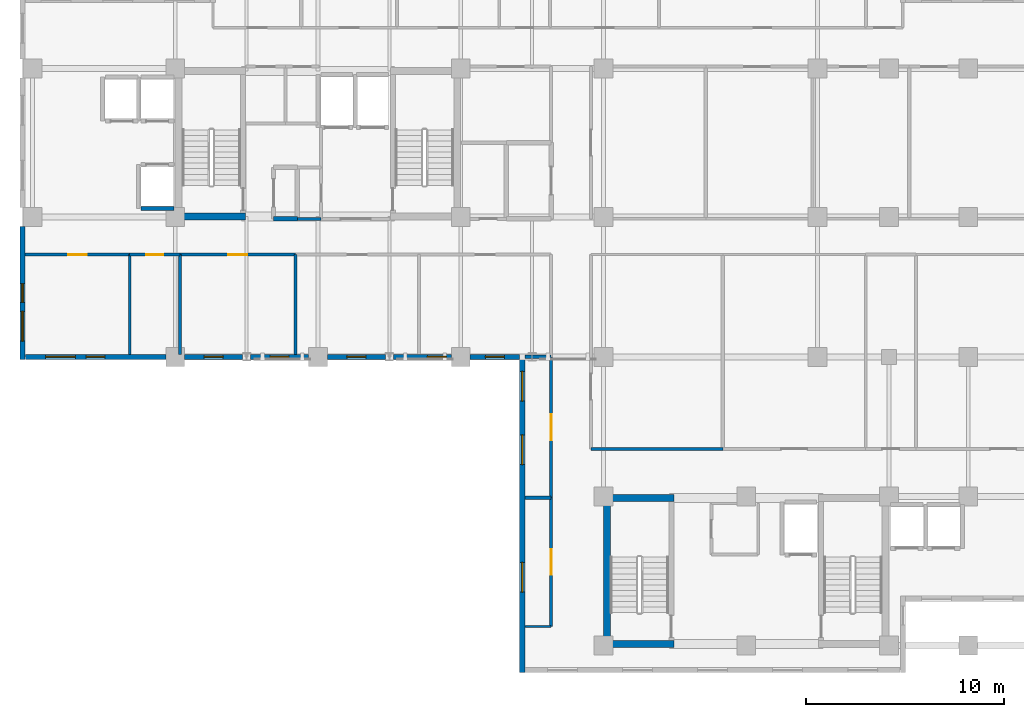
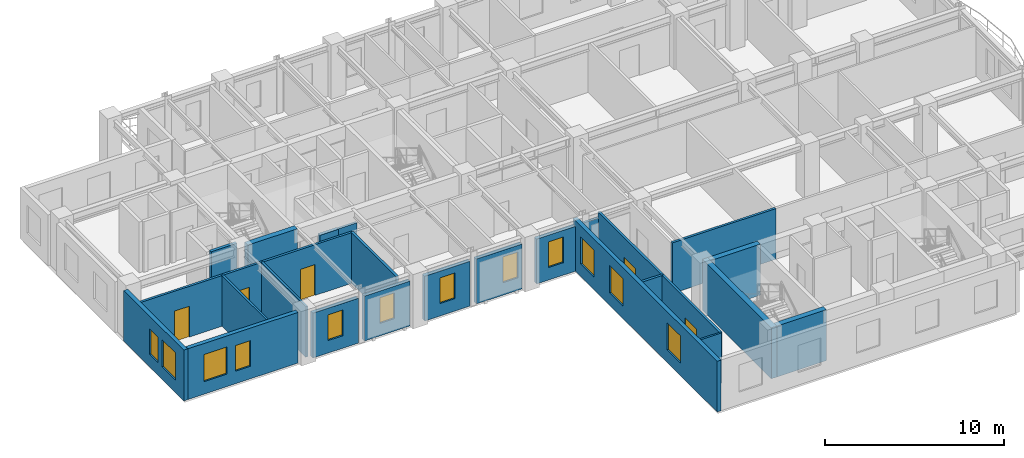
# One storey, part 5 of 14: 27 walls, 12 windows, 5 doors, 17 openings.
"""IFC4 building model written with IfcOpenShell, lengths in metres."""

from ifc_helpers import new_model, si_unit, direction, frame, frame_2d, origin, place, context, subcontext, project, spatial, rectangle, extrude, material, layer, layer_set, type_object, element, fill, save


model = new_model("IFC4")

# Units and contexts
model_context = context("Model", 3, precision=1e-05, world=origin(), true_north=direction((0.0, 1.0)))
body_context = subcontext(model_context, "Body", "Model", "MODEL_VIEW")
ifc_project = project(units=[si_unit("LENGTHUNIT", "METRE"), si_unit("AREAUNIT", "SQUARE_METRE"), si_unit("VOLUMEUNIT", "CUBIC_METRE"), si_unit("PLANEANGLEUNIT", "RADIAN"), si_unit("MASSUNIT", "GRAM", prefix="KILO")], contexts=[model_context])

# Site, building, storey
site_placement = place(None, origin())
site = spatial("IfcSite", under=ifc_project, at=site_placement, CompositionType="ELEMENT")
building_placement = place(site_placement, origin())
building = spatial("IfcBuilding", under=site, at=building_placement, Name="Kaliganga Portal Commons", CompositionType="ELEMENT")
storey_placement = place(building_placement, frame((0.0, 0.0, 227.699951171875)))
storey = spatial("IfcBuildingStorey", under=building, at=storey_placement, Name="L58", CompositionType="ELEMENT", Elevation=227.699951171875)

# Walls
ifc_material_1 = material(Name="Concrete C50/60", Category="concrete")
ifc_layer_1 = layer(ifc_material_1, 0.35009765625)
ifc_layer_set_1 = layer_set([ifc_layer_1], Name="Concrete C50/60")
wall_type_1 = type_object("IfcWallType", Name="WL-CORE-350", PredefinedType="SHEAR", material=ifc_layer_set_1)
wall_1_placement = place(storey_placement, frame((14.75, 28.675048828125, 0.0), z_axis=(0.0, 0.0, 1.0), x_axis=(1.0, 0.0, 0.0)))
element("IfcWall", 1, at=wall_1_placement, inside=storey, type_object=wall_type_1, Name="Core A S-West Shear Wall L58", PredefinedType="SHEAR", context=body_context, shape_type="SweptSolid", body=[
    extrude(rectangle(XDim=3.199951171875, YDim=0.35009765625, at=frame_2d((1.60009765625, 0.0))), origin(), (0.0, 0.0, 1.0), 3.469970703125),
])
wall_2_placement = place(storey_placement, frame((36.175048828125, 6.949951171875, 0.0), z_axis=(0.0, 0.0, 1.0), x_axis=(0.0, 1.0, 0.0)))
element("IfcWall", 2, at=wall_2_placement, inside=storey, type_object=wall_type_1, Name="Core B West Shear Wall L58", PredefinedType="SHEAR", context=body_context, shape_type="SweptSolid", body=[
    extrude(rectangle(XDim=7.699951171875, YDim=0.35009765625, at=frame_2d((3.85009765625, 0.0))), origin(), (0.0, 0.0, 1.0), 3.469970703125),
])
for number, where, z_axis, x_axis, name in (
    (3, (36.35009765625, 7.125, 0.0), (0.0, 0.0, 1.0), (1.0, 0.0, 0.0), "Core B S-West Shear Wall L58"),
    (4, (36.35009765625, 14.47509765625, 0.0), (0.0, 0.0, 1.0), (1.0, 0.0, 0.0), "Core B N-West Shear Wall L58"),
):
    element("IfcWall", number, at=place(storey_placement, frame(where, z_axis=z_axis, x_axis=x_axis)), inside=storey, type_object=wall_type_1, Name=name, PredefinedType="SHEAR", context=body_context, shape_type="SweptSolid", body=[
        extrude(rectangle(XDim=3.199951171875, YDim=0.35009765625, at=frame_2d((1.60009765625, 0.0))), origin(), (0.0, 0.0, 1.0), 3.469970703125),
    ])

# Wall, openings, windows
ifc_material_2 = material(Name="Insulated Aluminium-Clad Spandrel Assembly", Category="aluminium")
ifc_layer_2 = layer(ifc_material_2, 0.260009765625)
ifc_layer_set_2 = layer_set([ifc_layer_2], Name="Insulated Aluminium-Clad Spandrel Assembly")
wall_type_2 = type_object("IfcWallType", Name="WL-EXT-SPAND-260", PredefinedType="STANDARD", material=ifc_layer_set_2)
wall_3_placement = place(storey_placement, frame((6.699951171875, 21.469970703125, 0.0), z_axis=(0.0, 0.0, 1.0), x_axis=(0.0, 1.0, 0.0)))
wall_3 = element("IfcWall", 5, at=wall_3_placement, inside=storey, type_object=wall_type_2, Name="Exterior Envelope Wall L58 P1-E09-S3", PredefinedType="STANDARD", context=body_context, shape_type="SweptSolid", body=[
    extrude(rectangle(XDim=6.7041015625, YDim=0.260009765625, at=frame_2d((3.35205078125, 0.0))), origin(), (0.0, 0.0, 1.0), 3.449951171875),
])
opening_1_placement = place(wall_3_placement, frame((0.926025390625, 0.0, 0.85009765625)))
opening_1 = element("IfcOpeningElement", 6, at=opening_1_placement, cuts=wall_3, Name="Opening W-02", PredefinedType="OPENING", context=body_context, shape_type="SweptSolid", body=[
    extrude(rectangle(XDim=1.5, YDim=1.85009765625, at=frame_2d((0.75, 0.925048828125))), frame((0.0, 0.14013671875, 0.0), z_axis=(0.0, -1.0, 0.0), x_axis=(1.0, 0.0, 0.0)), (0.0, 0.0, 1.0), 0.280029296875),
])
opening_2_placement = place(wall_3_placement, frame((2.876953125, 0.0, 0.85009765625)))
opening_2 = element("IfcOpeningElement", 7, at=opening_2_placement, cuts=wall_3, Name="Opening W-04", PredefinedType="OPENING", context=body_context, shape_type="SweptSolid", body=[
    extrude(rectangle(XDim=0.949951171875, YDim=1.75, at=frame_2d((0.47509765625, 0.875))), frame((0.0, 0.14013671875, 0.0), z_axis=(0.0, -1.0, 0.0), x_axis=(1.0, 0.0, 0.0)), (0.0, 0.0, 1.0), 0.280029296875),
])
ifc_material_3 = material(Name="Thermally Broken Aluminium and Low-E Double Glazing", Category="aluminium")
window_type_1 = type_object("IfcWindowType", Name="WIN-NARROW-950", PartitioningType="SINGLE_PANEL", PredefinedType="WINDOW", material=ifc_material_3)
window_1_placement = place(opening_2_placement, origin())
window_1 = element("IfcWindow", 8, at=window_1_placement, inside=storey, type_object=window_type_1, Name="Facade Window L58-P1E09S3-N0", OverallHeight=1.75, OverallWidth=0.949951171875, PartitioningType="SINGLE_PANEL", PredefinedType="WINDOW", context=body_context, shape_type="SweptSolid", body=[
    extrude(rectangle(XDim=0.949951171875, YDim=1.75, at=frame_2d((0.47509765625, 0.875))), frame((0.0, 0.030029296875, 0.0), z_axis=(0.0, -1.0, 0.0), x_axis=(1.0, 0.0, 0.0)), (0.0, 0.0, 1.0), 0.06005859375),
])
fill(opening_2, window_1)
window_type_2 = type_object("IfcWindowType", Name="WIN-STD-1500", PartitioningType="DOUBLE_PANEL_VERTICAL", PredefinedType="WINDOW", material=ifc_material_3)
window_2_placement = place(opening_1_placement, origin())
window_2 = element("IfcWindow", 9, at=window_2_placement, inside=storey, type_object=window_type_2, Name="Facade Window L58-P1E09S3-00", OverallHeight=1.85009765625, OverallWidth=1.5, PartitioningType="SINGLE_PANEL", PredefinedType="WINDOW", context=body_context, shape_type="SweptSolid", body=[
    extrude(rectangle(XDim=1.5, YDim=1.85009765625, at=frame_2d((0.75, 0.925048828125))), frame((0.0, 0.030029296875, 0.0), z_axis=(0.0, -1.0, 0.0), x_axis=(1.0, 0.0, 0.0)), (0.0, 0.0, 1.0), 0.06005859375),
])
fill(opening_1, window_2)

wall_4_placement = place(storey_placement, frame((13.924072265625, 21.60009765625, 0.0), z_axis=(0.0, 0.0, 1.0), x_axis=(-1.0, 0.0, 0.0)))
wall_4 = element("IfcWall", 10, at=wall_4_placement, inside=storey, type_object=wall_type_2, Name="Exterior Envelope Wall L58 P1-E10-S1", PredefinedType="STANDARD", context=body_context, shape_type="SweptSolid", body=[
    extrude(rectangle(XDim=7.089111328125, YDim=0.260009765625, at=frame_2d((3.54443359375, 0.0))), origin(), (0.0, 0.0, 1.0), 3.449951171875),
])
opening_3_placement = place(wall_4_placement, frame((4.566650390625, 0.0, 0.85009765625)))
opening_3 = element("IfcOpeningElement", 11, at=opening_3_placement, cuts=wall_4, Name="Opening W-02", PredefinedType="OPENING", context=body_context, shape_type="SweptSolid", body=[
    extrude(rectangle(XDim=1.5, YDim=1.85009765625, at=frame_2d((0.75, 0.925048828125))), frame((0.0, 0.14013671875, 0.0), z_axis=(0.0, -1.0, 0.0), x_axis=(1.0, 0.0, 0.0)), (0.0, 0.0, 1.0), 0.280029296875),
])
opening_4_placement = place(wall_4_placement, frame((3.069580078125, 0.0, 0.85009765625)))
opening_4 = element("IfcOpeningElement", 12, at=opening_4_placement, cuts=wall_4, Name="Opening W-04", PredefinedType="OPENING", context=body_context, shape_type="SweptSolid", body=[
    extrude(rectangle(XDim=0.949951171875, YDim=1.75, at=frame_2d((0.47509765625, 0.875))), frame((0.0, 0.14013671875, 0.0), z_axis=(0.0, -1.0, 0.0), x_axis=(1.0, 0.0, 0.0)), (0.0, 0.0, 1.0), 0.280029296875),
])
window_3_placement = place(opening_4_placement, origin())
window_3 = element("IfcWindow", 13, at=window_3_placement, inside=storey, type_object=window_type_1, Name="Facade Window L58-P1E10S1-N0", OverallHeight=1.75, OverallWidth=0.949951171875, PartitioningType="SINGLE_PANEL", PredefinedType="WINDOW", context=body_context, shape_type="SweptSolid", body=[
    extrude(rectangle(XDim=0.949951171875, YDim=1.75, at=frame_2d((0.47509765625, 0.875))), frame((0.0, 0.030029296875, 0.0), z_axis=(0.0, -1.0, 0.0), x_axis=(1.0, 0.0, 0.0)), (0.0, 0.0, 1.0), 0.06005859375),
])
fill(opening_4, window_3)
window_4_placement = place(opening_3_placement, origin())
window_4 = element("IfcWindow", 14, at=window_4_placement, inside=storey, type_object=window_type_2, Name="Facade Window L58-P1E10S1-01", OverallHeight=1.85009765625, OverallWidth=1.5, PartitioningType="SINGLE_PANEL", PredefinedType="WINDOW", context=body_context, shape_type="SweptSolid", body=[
    extrude(rectangle(XDim=1.5, YDim=1.85009765625, at=frame_2d((0.75, 0.925048828125))), frame((0.0, 0.030029296875, 0.0), z_axis=(0.0, -1.0, 0.0), x_axis=(1.0, 0.0, 0.0)), (0.0, 0.0, 1.0), 0.06005859375),
])
fill(opening_3, window_4)

# Wall, opening, window
wall_5_placement = place(storey_placement, frame((17.799560546875, 21.60009765625, 0.0), z_axis=(0.0, 0.0, 1.0), x_axis=(-1.0, 0.0, 0.0)))
wall_5 = element("IfcWall", 15, at=wall_5_placement, inside=storey, type_object=wall_type_2, Name="Exterior Envelope Wall L58 P1-E10-S2", PredefinedType="STANDARD", context=body_context, shape_type="SweptSolid", body=[
    extrude(rectangle(XDim=2.923583984375, YDim=0.260009765625, at=frame_2d((1.4619140625, 0.0))), origin(), (0.0, 0.0, 1.0), 3.050048828125),
])
opening_5_placement = place(wall_5_placement, frame((0.98681640625, 0.0, 0.85009765625)))
opening_5 = element("IfcOpeningElement", 16, at=opening_5_placement, cuts=wall_5, Name="Opening W-04", PredefinedType="OPENING", context=body_context, shape_type="SweptSolid", body=[
    extrude(rectangle(XDim=0.949951171875, YDim=1.75, at=frame_2d((0.47509765625, 0.875))), frame((0.0, 0.14013671875, 0.0), z_axis=(0.0, -1.0, 0.0), x_axis=(1.0, 0.0, 0.0)), (0.0, 0.0, 1.0), 0.280029296875),
])
window_5_placement = place(opening_5_placement, origin())
window_5 = element("IfcWindow", 17, at=window_5_placement, inside=storey, type_object=window_type_1, Name="Facade Window L58-P1E10S2-00", OverallHeight=1.75, OverallWidth=0.949951171875, PartitioningType="SINGLE_PANEL", PredefinedType="WINDOW", context=body_context, shape_type="SweptSolid", body=[
    extrude(rectangle(XDim=0.949951171875, YDim=1.75, at=frame_2d((0.47509765625, 0.875))), frame((0.0, 0.030029296875, 0.0), z_axis=(0.0, -1.0, 0.0), x_axis=(1.0, 0.0, 0.0)), (0.0, 0.0, 1.0), 0.06005859375),
])
fill(opening_5, window_5)

wall_6_placement = place(storey_placement, frame((21.1240234375, 21.60009765625, 0.0), z_axis=(0.0, 0.0, 1.0), x_axis=(-1.0, 0.0, 0.0)))
wall_6 = element("IfcWall", 18, at=wall_6_placement, inside=storey, type_object=wall_type_2, Name="Exterior Envelope Wall L58 P1-E10-S3", PredefinedType="STANDARD", context=body_context, shape_type="SweptSolid", body=[
    extrude(rectangle(XDim=2.923583984375, YDim=0.260009765625, at=frame_2d((1.4619140625, 0.0))), origin(), (0.0, 0.0, 1.0), 3.050048828125),
])
opening_6_placement = place(wall_6_placement, frame((0.98681640625, 0.0, 0.85009765625)))
opening_6 = element("IfcOpeningElement", 19, at=opening_6_placement, cuts=wall_6, Name="Opening W-04", PredefinedType="OPENING", context=body_context, shape_type="SweptSolid", body=[
    extrude(rectangle(XDim=0.949951171875, YDim=1.75, at=frame_2d((0.47509765625, 0.875))), frame((0.0, 0.14013671875, 0.0), z_axis=(0.0, -1.0, 0.0), x_axis=(1.0, 0.0, 0.0)), (0.0, 0.0, 1.0), 0.280029296875),
])
window_6_placement = place(opening_6_placement, origin())
window_6 = element("IfcWindow", 20, at=window_6_placement, inside=storey, type_object=window_type_1, Name="Facade Window L58-P1E10S3-00", OverallHeight=1.75, OverallWidth=0.949951171875, PartitioningType="SINGLE_PANEL", PredefinedType="WINDOW", context=body_context, shape_type="SweptSolid", body=[
    extrude(rectangle(XDim=0.949951171875, YDim=1.75, at=frame_2d((0.47509765625, 0.875))), frame((0.0, 0.030029296875, 0.0), z_axis=(0.0, -1.0, 0.0), x_axis=(1.0, 0.0, 0.0)), (0.0, 0.0, 1.0), 0.06005859375),
])
fill(opening_6, window_6)

wall_7_placement = place(storey_placement, frame((24.99951171875, 21.60009765625, 0.0), z_axis=(0.0, 0.0, 1.0), x_axis=(-1.0, 0.0, 0.0)))
wall_7 = element("IfcWall", 21, at=wall_7_placement, inside=storey, type_object=wall_type_2, Name="Exterior Envelope Wall L58 P1-E10-S4", PredefinedType="STANDARD", context=body_context, shape_type="SweptSolid", body=[
    extrude(rectangle(XDim=2.923583984375, YDim=0.260009765625, at=frame_2d((1.4619140625, 0.0))), origin(), (0.0, 0.0, 1.0), 3.050048828125),
])
opening_7_placement = place(wall_7_placement, frame((0.98681640625, 0.0, 0.85009765625)))
opening_7 = element("IfcOpeningElement", 22, at=opening_7_placement, cuts=wall_7, Name="Opening W-04", PredefinedType="OPENING", context=body_context, shape_type="SweptSolid", body=[
    extrude(rectangle(XDim=0.949951171875, YDim=1.75, at=frame_2d((0.47509765625, 0.875))), frame((0.0, 0.14013671875, 0.0), z_axis=(0.0, -1.0, 0.0), x_axis=(1.0, 0.0, 0.0)), (0.0, 0.0, 1.0), 0.280029296875),
])
window_7_placement = place(opening_7_placement, origin())
window_7 = element("IfcWindow", 23, at=window_7_placement, inside=storey, type_object=window_type_1, Name="Facade Window L58-P1E10S4-00", OverallHeight=1.75, OverallWidth=0.949951171875, PartitioningType="SINGLE_PANEL", PredefinedType="WINDOW", context=body_context, shape_type="SweptSolid", body=[
    extrude(rectangle(XDim=0.949951171875, YDim=1.75, at=frame_2d((0.47509765625, 0.875))), frame((0.0, 0.030029296875, 0.0), z_axis=(0.0, -1.0, 0.0), x_axis=(1.0, 0.0, 0.0)), (0.0, 0.0, 1.0), 0.06005859375),
])
fill(opening_7, window_7)

wall_8_placement = place(storey_placement, frame((28.323974609375, 21.60009765625, 0.0), z_axis=(0.0, 0.0, 1.0), x_axis=(-1.0, 0.0, 0.0)))
wall_8 = element("IfcWall", 24, at=wall_8_placement, inside=storey, type_object=wall_type_2, Name="Exterior Envelope Wall L58 P1-E10-S5", PredefinedType="STANDARD", context=body_context, shape_type="SweptSolid", body=[
    extrude(rectangle(XDim=2.923583984375, YDim=0.260009765625, at=frame_2d((1.4619140625, 0.0))), origin(), (0.0, 0.0, 1.0), 3.050048828125),
])
opening_8_placement = place(wall_8_placement, frame((0.26171875, 0.0, 0.85009765625)))
opening_8 = element("IfcOpeningElement", 25, at=opening_8_placement, cuts=wall_8, Name="Opening W-04", PredefinedType="OPENING", context=body_context, shape_type="SweptSolid", body=[
    extrude(rectangle(XDim=0.949951171875, YDim=1.75, at=frame_2d((0.47509765625, 0.875))), frame((0.0, 0.14013671875, 0.0), z_axis=(0.0, -1.0, 0.0), x_axis=(1.0, 0.0, 0.0)), (0.0, 0.0, 1.0), 0.280029296875),
])
window_8_placement = place(opening_8_placement, origin())
window_8 = element("IfcWindow", 26, at=window_8_placement, inside=storey, type_object=window_type_1, Name="Facade Window L58-P1E10S5-N1", OverallHeight=1.75, OverallWidth=0.949951171875, PartitioningType="SINGLE_PANEL", PredefinedType="WINDOW", context=body_context, shape_type="SweptSolid", body=[
    extrude(rectangle(XDim=0.949951171875, YDim=1.75, at=frame_2d((0.47509765625, 0.875))), frame((0.0, 0.030029296875, 0.0), z_axis=(0.0, -1.0, 0.0), x_axis=(1.0, 0.0, 0.0)), (0.0, 0.0, 1.0), 0.06005859375),
])
fill(opening_8, window_8)

wall_9_placement = place(storey_placement, frame((31.764892578125, 21.60009765625, 0.0), z_axis=(0.0, 0.0, 1.0), x_axis=(-1.0, 0.0, 0.0)))
wall_9 = element("IfcWall", 27, at=wall_9_placement, inside=storey, type_object=wall_type_2, Name="Exterior Envelope Wall L58 P1-E10-S6", PredefinedType="STANDARD", context=body_context, shape_type="SweptSolid", body=[
    extrude(rectangle(XDim=2.489013671875, YDim=0.260009765625, at=frame_2d((1.24462890625, 0.0))), origin(), (0.0, 0.0, 1.0), 3.050048828125),
])
opening_9_placement = place(wall_9_placement, frame((0.76953125, 0.0, 0.85009765625)))
opening_9 = element("IfcOpeningElement", 28, at=opening_9_placement, cuts=wall_9, Name="Opening W-04", PredefinedType="OPENING", context=body_context, shape_type="SweptSolid", body=[
    extrude(rectangle(XDim=0.949951171875, YDim=1.75, at=frame_2d((0.47509765625, 0.875))), frame((0.0, 0.14013671875, 0.0), z_axis=(0.0, -1.0, 0.0), x_axis=(1.0, 0.0, 0.0)), (0.0, 0.0, 1.0), 0.280029296875),
])
window_9_placement = place(opening_9_placement, origin())
window_9 = element("IfcWindow", 29, at=window_9_placement, inside=storey, type_object=window_type_1, Name="Facade Window L58-P1E10S6-00", OverallHeight=1.75, OverallWidth=0.949951171875, PartitioningType="SINGLE_PANEL", PredefinedType="WINDOW", context=body_context, shape_type="SweptSolid", body=[
    extrude(rectangle(XDim=0.949951171875, YDim=1.75, at=frame_2d((0.47509765625, 0.875))), frame((0.0, 0.030029296875, 0.0), z_axis=(0.0, -1.0, 0.0), x_axis=(1.0, 0.0, 0.0)), (0.0, 0.0, 1.0), 0.06005859375),
])
fill(opening_9, window_9)

# Wall, openings, windows
wall_10_placement = place(storey_placement, frame((31.89990234375, 5.669921875, 0.0), z_axis=(0.0, 0.0, 1.0), x_axis=(0.0, 1.0, 0.0)))
wall_10 = element("IfcWall", 30, at=wall_10_placement, inside=storey, type_object=wall_type_2, Name="Exterior Envelope Wall L58 P1-E11-S1", PredefinedType="STANDARD", context=body_context, shape_type="SweptSolid", body=[
    extrude(rectangle(XDim=16.06005859375, YDim=0.260009765625, at=frame_2d((8.030029296875, 0.0))), origin(), (0.0, 0.0, 1.0), 3.449951171875),
])
opening_10_placement = place(wall_10_placement, frame((4.068115234375, 0.0, 0.85009765625)))
opening_10 = element("IfcOpeningElement", 31, at=opening_10_placement, cuts=wall_10, Name="Opening W-02", PredefinedType="OPENING", context=body_context, shape_type="SweptSolid", body=[
    extrude(rectangle(XDim=1.5, YDim=1.85009765625, at=frame_2d((0.75, 0.925048828125))), frame((0.0, 0.14013671875, 0.0), z_axis=(0.0, -1.0, 0.0), x_axis=(1.0, 0.0, 0.0)), (0.0, 0.0, 1.0), 0.280029296875),
])
opening_11_placement = place(wall_10_placement, frame((10.491943359375, 0.0, 0.85009765625)))
opening_11 = element("IfcOpeningElement", 32, at=opening_11_placement, cuts=wall_10, Name="Opening W-02", PredefinedType="OPENING", context=body_context, shape_type="SweptSolid", body=[
    extrude(rectangle(XDim=1.5, YDim=1.85009765625, at=frame_2d((0.75, 0.925048828125))), frame((0.0, 0.14013671875, 0.0), z_axis=(0.0, -1.0, 0.0), x_axis=(1.0, 0.0, 0.0)), (0.0, 0.0, 1.0), 0.280029296875),
])
opening_12_placement = place(wall_10_placement, frame((13.7041015625, 0.0, 0.85009765625)))
opening_12 = element("IfcOpeningElement", 33, at=opening_12_placement, cuts=wall_10, Name="Opening W-02", PredefinedType="OPENING", context=body_context, shape_type="SweptSolid", body=[
    extrude(rectangle(XDim=1.5, YDim=1.85009765625, at=frame_2d((0.75, 0.925048828125))), frame((0.0, 0.14013671875, 0.0), z_axis=(0.0, -1.0, 0.0), x_axis=(1.0, 0.0, 0.0)), (0.0, 0.0, 1.0), 0.280029296875),
])
window_10_placement = place(opening_10_placement, origin())
window_10 = element("IfcWindow", 34, at=window_10_placement, inside=storey, type_object=window_type_2, Name="Facade Window L58-P1E11S1-01", OverallHeight=1.85009765625, OverallWidth=1.5, PartitioningType="SINGLE_PANEL", PredefinedType="WINDOW", context=body_context, shape_type="SweptSolid", body=[
    extrude(rectangle(XDim=1.5, YDim=1.85009765625, at=frame_2d((0.75, 0.925048828125))), frame((0.0, 0.030029296875, 0.0), z_axis=(0.0, -1.0, 0.0), x_axis=(1.0, 0.0, 0.0)), (0.0, 0.0, 1.0), 0.06005859375),
])
fill(opening_10, window_10)
window_11_placement = place(opening_11_placement, origin())
window_11 = element("IfcWindow", 35, at=window_11_placement, inside=storey, type_object=window_type_2, Name="Facade Window L58-P1E11S1-03", OverallHeight=1.85009765625, OverallWidth=1.5, PartitioningType="SINGLE_PANEL", PredefinedType="WINDOW", context=body_context, shape_type="SweptSolid", body=[
    extrude(rectangle(XDim=1.5, YDim=1.85009765625, at=frame_2d((0.75, 0.925048828125))), frame((0.0, 0.030029296875, 0.0), z_axis=(0.0, -1.0, 0.0), x_axis=(1.0, 0.0, 0.0)), (0.0, 0.0, 1.0), 0.06005859375),
])
fill(opening_11, window_11)
window_12_placement = place(opening_12_placement, origin())
window_12 = element("IfcWindow", 36, at=window_12_placement, inside=storey, type_object=window_type_2, Name="Facade Window L58-P1E11S1-04", OverallHeight=1.85009765625, OverallWidth=1.5, PartitioningType="SINGLE_PANEL", PredefinedType="WINDOW", context=body_context, shape_type="SweptSolid", body=[
    extrude(rectangle(XDim=1.5, YDim=1.85009765625, at=frame_2d((0.75, 0.925048828125))), frame((0.0, 0.030029296875, 0.0), z_axis=(0.0, -1.0, 0.0), x_axis=(1.0, 0.0, 0.0)), (0.0, 0.0, 1.0), 0.06005859375),
])
fill(opening_12, window_12)

# Wall, opening, door
ifc_material_4 = material(Name="Fire-Rated Gypsum Board on Steel Stud", Category="steel")
ifc_layer_3 = layer(ifc_material_4, 0.14990234375)
ifc_layer_set_3 = layer_set([ifc_layer_3], Name="Fire-Rated Gypsum Board on Steel Stud")
wall_type_3 = type_object("IfcWallType", Name="WL-PART-CORR-150", PredefinedType="PARTITIONING", material=ifc_layer_set_3)
wall_11_placement = place(storey_placement, frame((33.360107421875, 14.5, 0.0), z_axis=(0.0, 0.0, 1.0), x_axis=(0.0, 1.0, 0.0)))
wall_11 = element("IfcWall", 37, at=wall_11_placement, inside=storey, type_object=wall_type_3, Name="Interior Partition L58-008", PredefinedType="PARTITIONING", context=body_context, shape_type="SweptSolid", body=[
    extrude(rectangle(XDim=7.10009765625, YDim=0.14990234375, at=frame_2d((3.550048828125, 0.0))), origin(), (0.0, 0.0, 1.0), 3.449951171875),
])
opening_13_placement = place(wall_11_placement, frame((2.89990234375, 0.0, 0.0)))
opening_13 = element("IfcOpeningElement", 38, at=opening_13_placement, cuts=wall_11, Name="Opening RD-03", PredefinedType="OPENING", context=body_context, shape_type="SweptSolid", body=[
    extrude(rectangle(XDim=1.300048828125, YDim=2.1201171875, at=frame_2d((0.64990234375, 1.06005859375))), frame((0.0, 0.0849609375, 0.0), z_axis=(0.0, -1.0, 0.0), x_axis=(1.0, 0.0, 0.0)), (0.0, 0.0, 1.0), 0.169921875),
])
ifc_material_5 = material(Name="Glazed Timber Seminar Vision Door", Category="wood")
door_type_1 = type_object("IfcDoorType", Name="DR-STUDY-1300", OperationType="DOUBLE_DOOR_SINGLE_SWING", PredefinedType="DOOR", material=ifc_material_5)
door_1_placement = place(opening_13_placement, origin())
door_1 = element("IfcDoor", 39, at=door_1_placement, inside=storey, type_object=door_type_1, Name="Interior Door L58-KW02", OperationType="DOUBLE_DOOR_SINGLE_SWING", OverallHeight=2.1201171875, OverallWidth=1.300048828125, PredefinedType="DOOR", context=body_context, shape_type="SweptSolid", body=[
    extrude(rectangle(XDim=1.300048828125, YDim=2.1201171875, at=frame_2d((0.64990234375, 1.06005859375))), frame((0.0, 0.02490234375, 0.0), z_axis=(0.0, -1.0, 0.0), x_axis=(1.0, 0.0, 0.0)), (0.0, 0.0, 1.0), 0.050048828125),
])
fill(opening_13, door_1)

# Wall
wall_12_placement = place(storey_placement, frame((35.360107421875, 16.9599609375, 0.0), z_axis=(0.0, 0.0, 1.0), x_axis=(1.0, 0.0, 0.0)))
element("IfcWall", 40, at=wall_12_placement, inside=storey, type_object=wall_type_3, Name="Interior Partition L58-009", PredefinedType="PARTITIONING", context=body_context, shape_type="SweptSolid", body=[
    extrude(rectangle(XDim=6.659912109375, YDim=0.14990234375, at=frame_2d((3.330078125, 0.0))), origin(), (0.0, 0.0, 1.0), 3.449951171875),
])

# Wall, opening, door
wall_13_placement = place(storey_placement, frame((33.360107421875, 8.0, 0.0), z_axis=(0.0, 0.0, 1.0), x_axis=(0.0, 1.0, 0.0)))
wall_13 = element("IfcWall", 41, at=wall_13_placement, inside=storey, type_object=wall_type_3, Name="Interior Partition L58-011", PredefinedType="PARTITIONING", context=body_context, shape_type="SweptSolid", body=[
    extrude(rectangle(XDim=6.5, YDim=0.14990234375, at=frame_2d((3.25, 0.0))), origin(), (0.0, 0.0, 1.0), 3.449951171875),
])
opening_14_placement = place(wall_13_placement, frame((2.60009765625, 0.0, 0.0)))
opening_14 = element("IfcOpeningElement", 42, at=opening_14_placement, cuts=wall_13, Name="Opening RD-03", PredefinedType="OPENING", context=body_context, shape_type="SweptSolid", body=[
    extrude(rectangle(XDim=1.300048828125, YDim=2.1201171875, at=frame_2d((0.64990234375, 1.06005859375))), frame((0.0, 0.0849609375, 0.0), z_axis=(0.0, -1.0, 0.0), x_axis=(1.0, 0.0, 0.0)), (0.0, 0.0, 1.0), 0.169921875),
])
door_2_placement = place(opening_14_placement, origin())
door_2 = element("IfcDoor", 43, at=door_2_placement, inside=storey, type_object=door_type_1, Name="Interior Door L58-KW01", OperationType="DOUBLE_DOOR_SINGLE_SWING", OverallHeight=2.1201171875, OverallWidth=1.300048828125, PredefinedType="DOOR", context=body_context, shape_type="SweptSolid", body=[
    extrude(rectangle(XDim=1.300048828125, YDim=2.1201171875, at=frame_2d((0.64990234375, 1.06005859375))), frame((0.0, 0.02490234375, 0.0), z_axis=(0.0, -1.0, 0.0), x_axis=(1.0, 0.0, 0.0)), (0.0, 0.0, 1.0), 0.050048828125),
])
fill(opening_14, door_2)

wall_14_placement = place(storey_placement, frame((14.639892578125, 26.760009765625, 0.0), z_axis=(0.0, 0.0, 1.0), x_axis=(1.0, 0.0, 0.0)))
wall_14 = element("IfcWall", 44, at=wall_14_placement, inside=storey, type_object=wall_type_3, Name="Interior Partition L58-013", PredefinedType="PARTITIONING", context=body_context, shape_type="SweptSolid", body=[
    extrude(rectangle(XDim=5.820068359375, YDim=0.14990234375, at=frame_2d((2.91015625, 0.0))), origin(), (0.0, 0.0, 1.0), 3.449951171875),
])
opening_15_placement = place(wall_14_placement, frame((2.43505859375, 0.0, 0.0)))
opening_15 = element("IfcOpeningElement", 45, at=opening_15_placement, cuts=wall_14, Name="Opening UD-01", PredefinedType="OPENING", context=body_context, shape_type="SweptSolid", body=[
    extrude(rectangle(XDim=0.949951171875, YDim=2.10009765625, at=frame_2d((0.47509765625, 1.050048828125))), frame((0.0, 0.0849609375, 0.0), z_axis=(0.0, -1.0, 0.0), x_axis=(1.0, 0.0, 0.0)), (0.0, 0.0, 1.0), 0.169921875),
])
ifc_material_6 = material(Name="Solid-Core Timber Acoustic Fire Door", Category="wood")
door_type_2 = type_object("IfcDoorType", Name="DR-UNIT-950", OperationType="NOTDEFINED", PredefinedType="DOOR", material=ifc_material_6)
door_3_placement = place(opening_15_placement, origin())
door_3 = element("IfcDoor", 46, at=door_3_placement, inside=storey, type_object=door_type_2, Name="Interior Door L58-AS03", OperationType="SINGLE_SWING_LEFT", OverallHeight=2.10009765625, OverallWidth=0.949951171875, PredefinedType="DOOR", context=body_context, shape_type="SweptSolid", body=[
    extrude(rectangle(XDim=0.949951171875, YDim=2.10009765625, at=frame_2d((0.47509765625, 1.050048828125))), frame((0.0, 0.02490234375, 0.0), z_axis=(0.0, -1.0, 0.0), x_axis=(1.0, 0.0, 0.0)), (0.0, 0.0, 1.0), 0.050048828125),
])
fill(opening_15, door_3)

wall_15_placement = place(storey_placement, frame((6.83203125, 26.760009765625, 0.0), z_axis=(0.0, 0.0, 1.0), x_axis=(1.0, 0.0, 0.0)))
wall_15 = element("IfcWall", 47, at=wall_15_placement, inside=storey, type_object=wall_type_3, Name="Interior Partition L58-016", PredefinedType="PARTITIONING", context=body_context, shape_type="SweptSolid", body=[
    extrude(rectangle(XDim=5.26806640625, YDim=0.14990234375, at=frame_2d((2.634033203125, 0.0))), origin(), (0.0, 0.0, 1.0), 3.449951171875),
])
opening_16_placement = place(wall_15_placement, frame((2.158935546875, 0.0, 0.0)))
opening_16 = element("IfcOpeningElement", 48, at=opening_16_placement, cuts=wall_15, Name="Opening UD-01", PredefinedType="OPENING", context=body_context, shape_type="SweptSolid", body=[
    extrude(rectangle(XDim=0.949951171875, YDim=2.10009765625, at=frame_2d((0.47509765625, 1.050048828125))), frame((0.0, 0.0849609375, 0.0), z_axis=(0.0, -1.0, 0.0), x_axis=(1.0, 0.0, 0.0)), (0.0, 0.0, 1.0), 0.169921875),
])
door_4_placement = place(opening_16_placement, origin())
door_4 = element("IfcDoor", 49, at=door_4_placement, inside=storey, type_object=door_type_2, Name="Interior Door L58-AS01", OperationType="SINGLE_SWING_LEFT", OverallHeight=2.10009765625, OverallWidth=0.949951171875, PredefinedType="DOOR", context=body_context, shape_type="SweptSolid", body=[
    extrude(rectangle(XDim=0.949951171875, YDim=2.10009765625, at=frame_2d((0.47509765625, 1.050048828125))), frame((0.0, 0.02490234375, 0.0), z_axis=(0.0, -1.0, 0.0), x_axis=(1.0, 0.0, 0.0)), (0.0, 0.0, 1.0), 0.050048828125),
])
fill(opening_16, door_4)

wall_16_placement = place(storey_placement, frame((12.10009765625, 26.760009765625, 0.0), z_axis=(0.0, 0.0, 1.0), x_axis=(1.0, 0.0, 0.0)))
wall_16 = element("IfcWall", 50, at=wall_16_placement, inside=storey, type_object=wall_type_3, Name="Interior Partition L58-031", PredefinedType="PARTITIONING", context=body_context, shape_type="SweptSolid", body=[
    extrude(rectangle(XDim=2.539794921875, YDim=0.14990234375, at=frame_2d((1.27001953125, 0.0))), origin(), (0.0, 0.0, 1.0), 3.449951171875),
])
opening_17_placement = place(wall_16_placement, frame((0.844970703125, 0.0, 0.0)))
opening_17 = element("IfcOpeningElement", 51, at=opening_17_placement, cuts=wall_16, Name="Opening WD-01", PredefinedType="OPENING", context=body_context, shape_type="SweptSolid", body=[
    extrude(rectangle(XDim=0.85009765625, YDim=2.0400390625, at=frame_2d((0.425048828125, 1.02001953125))), frame((0.0, 0.0849609375, 0.0), z_axis=(0.0, -1.0, 0.0), x_axis=(1.0, 0.0, 0.0)), (0.0, 0.0, 1.0), 0.169921875),
])
ifc_material_7 = material(Name="Moisture-Resistant Laminate Timber Door", Category="wood")
door_type_3 = type_object("IfcDoorType", Name="DR-WET-850", OperationType="NOTDEFINED", PredefinedType="DOOR", material=ifc_material_7)
door_5_placement = place(opening_17_placement, origin())
door_5 = element("IfcDoor", 52, at=door_5_placement, inside=storey, type_object=door_type_3, Name="Interior Door L58-AS02", OperationType="SINGLE_SWING_LEFT", OverallHeight=2.0400390625, OverallWidth=0.85009765625, PredefinedType="DOOR", context=body_context, shape_type="SweptSolid", body=[
    extrude(rectangle(XDim=0.85009765625, YDim=2.0400390625, at=frame_2d((0.425048828125, 1.02001953125))), frame((0.0, 0.02490234375, 0.0), z_axis=(0.0, -1.0, 0.0), x_axis=(1.0, 0.0, 0.0)), (0.0, 0.0, 1.0), 0.050048828125),
])
fill(opening_17, door_5)

# Walls
wall_17_placement = place(storey_placement, frame((20.56005859375, 28.56005859375, 0.0), z_axis=(0.0, 0.0, 1.0), x_axis=(1.0, 0.0, 0.0)))
element("IfcWall", 53, at=wall_17_placement, inside=storey, type_object=wall_type_3, Name="Interior Partition L58-041", PredefinedType="PARTITIONING", context=body_context, shape_type="SweptSolid", body=[
    extrude(rectangle(XDim=1.199951171875, YDim=0.14990234375, at=frame_2d((0.60009765625, 0.0))), origin(), (0.0, 0.0, 1.0), 2.550048828125),
])
ifc_material_8 = material(Name="Lightweight blockwork masonry", Category="masonry")
ifc_layer_4 = layer(ifc_material_8, 0.215087890625)
ifc_layer_set_4 = layer_set([ifc_layer_4], Name="Lightweight blockwork masonry")
wall_type_4 = type_object("IfcWallType", Name="WL-PART-PLANT-215", PredefinedType="PARTITIONING", material=ifc_layer_set_4)
wall_18_placement = place(storey_placement, frame((19.360107421875, 28.56005859375, 0.0), z_axis=(0.0, 0.0, 1.0), x_axis=(1.0, 0.0, 0.0)))
element("IfcWall", 54, at=wall_18_placement, inside=storey, type_object=wall_type_4, Name="Interior Partition L58-043", PredefinedType="PARTITIONING", context=body_context, shape_type="SweptSolid", body=[
    extrude(rectangle(XDim=1.199951171875, YDim=0.215087890625, at=frame_2d((0.60009765625, 0.0))), origin(), (0.0, 0.0, 1.0), 2.550048828125),
])
ifc_material_9 = material(Name="Moisture-Resistant Gypsum Partition", Category="gypsum")
ifc_layer_5 = layer(ifc_material_9, 0.114990234375)
ifc_layer_set_5 = layer_set([ifc_layer_5], Name="Moisture-Resistant Gypsum Partition")
wall_type_5 = type_object("IfcWallType", Name="WL-PART-ROOM-115", PredefinedType="PARTITIONING", material=ifc_layer_set_5)
wall_19_placement = place(storey_placement, frame((32.031982421875, 8.0, 0.0), z_axis=(0.0, 0.0, 1.0), x_axis=(1.0, 0.0, 0.0)))
element("IfcWall", 55, at=wall_19_placement, inside=storey, type_object=wall_type_5, Name="Interior Partition L58-082", PredefinedType="PARTITIONING", context=body_context, shape_type="SweptSolid", body=[
    extrude(rectangle(XDim=1.328125, YDim=0.114990234375, at=frame_2d((0.6640625, 0.0))), origin(), (0.0, 0.0, 1.0), 3.449951171875),
])
ifc_material_10 = material(Name="Twin-Stud Acoustic Gypsum Partition", Category="gypsum")
ifc_layer_6 = layer(ifc_material_10, 0.1650390625)
ifc_layer_set_6 = layer_set([ifc_layer_6], Name="Twin-Stud Acoustic Gypsum Partition")
wall_type_6 = type_object("IfcWallType", Name="WL-PART-UNIT-165", PredefinedType="PARTITIONING", material=ifc_layer_set_6)
wall_20_placement = place(storey_placement, frame((20.4599609375, 21.73193359375, 0.0), z_axis=(0.0, 0.0, 1.0), x_axis=(0.0, 1.0, 0.0)))
element("IfcWall", 56, at=wall_20_placement, inside=storey, type_object=wall_type_6, Name="Interior Partition L58-060", PredefinedType="PARTITIONING", context=body_context, shape_type="SweptSolid", body=[
    extrude(rectangle(XDim=5.028076171875, YDim=0.1650390625, at=frame_2d((2.51416015625, 0.0))), origin(), (0.0, 0.0, 1.0), 3.449951171875),
])
wall_21_placement = place(storey_placement, frame((32.031982421875, 14.5, 0.0), z_axis=(0.0, 0.0, 1.0), x_axis=(1.0, 0.0, 0.0)))
element("IfcWall", 57, at=wall_21_placement, inside=storey, type_object=wall_type_6, Name="Interior Partition L58-083", PredefinedType="PARTITIONING", context=body_context, shape_type="SweptSolid", body=[
    extrude(rectangle(XDim=1.328125, YDim=0.1650390625, at=frame_2d((0.6640625, 0.0))), origin(), (0.0, 0.0, 1.0), 3.449951171875),
])
wall_22_placement = place(storey_placement, frame((32.031982421875, 21.60009765625, 0.0), z_axis=(0.0, 0.0, 1.0), x_axis=(1.0, 0.0, 0.0)))
element("IfcWall", 58, at=wall_22_placement, inside=storey, type_object=wall_type_6, Name="Interior Partition L58-084", PredefinedType="PARTITIONING", context=body_context, shape_type="SweptSolid", body=[
    extrude(rectangle(XDim=1.328125, YDim=0.1650390625, at=frame_2d((0.6640625, 0.0))), origin(), (0.0, 0.0, 1.0), 3.050048828125),
])
ifc_material_11 = material(Name="Cement-Board Wet-Room Partition", Category="gypsum")
ifc_layer_7 = layer(ifc_material_11, 0.135009765625)
ifc_layer_set_7 = layer_set([ifc_layer_7], Name="Cement-Board Wet-Room Partition")
wall_type_7 = type_object("IfcWallType", Name="WL-PART-WET-135", PredefinedType="PARTITIONING", material=ifc_layer_set_7)
for number, where, z_axis, x_axis, name in (
    (59, (12.10009765625, 21.73193359375, 0.0), (0.0, 0.0, 1.0), (0.0, 1.0, 0.0), "Interior Partition L58-058"),
    (60, (14.639892578125, 21.73193359375, 0.0), (0.0, 0.0, 1.0), (0.0, 1.0, 0.0), "Interior Partition L58-059"),
):
    element("IfcWall", number, at=place(storey_placement, frame(where, z_axis=z_axis, x_axis=x_axis)), inside=storey, type_object=wall_type_7, Name=name, PredefinedType="PARTITIONING", context=body_context, shape_type="SweptSolid", body=[
        extrude(rectangle(XDim=5.028076171875, YDim=0.135009765625, at=frame_2d((2.51416015625, 0.0))), origin(), (0.0, 0.0, 1.0), 3.449951171875),
    ])
ifc_material_12 = material(Name="Fire-Rated Shaftwall Masonry Assembly", Category="masonry")
ifc_layer_8 = layer(ifc_material_12, 0.199951171875)
ifc_layer_set_8 = layer_set([ifc_layer_8], Name="Fire-Rated Shaftwall Masonry Assembly")
wall_type_8 = type_object("IfcWallType", Name="WL-SHAFT-200", PredefinedType="PARTITIONING", material=ifc_layer_set_8)
wall_23_placement = place(storey_placement, frame((12.675048828125, 29.0849609375, 0.0), z_axis=(0.0, 0.0, 1.0), x_axis=(1.0, 0.0, 0.0)))
element("IfcWall", 61, at=wall_23_placement, inside=storey, type_object=wall_type_8, Name="Lift PL-A4 Hoistway Shaft Wall L58-S", PredefinedType="PARTITIONING", context=body_context, shape_type="SweptSolid", body=[
    extrude(rectangle(XDim=1.64990234375, YDim=0.199951171875, at=frame_2d((0.824951171875, 0.0))), origin(), (0.0, 0.0, 1.0), 3.449951171875),
])

save(model, "model.ifc")
